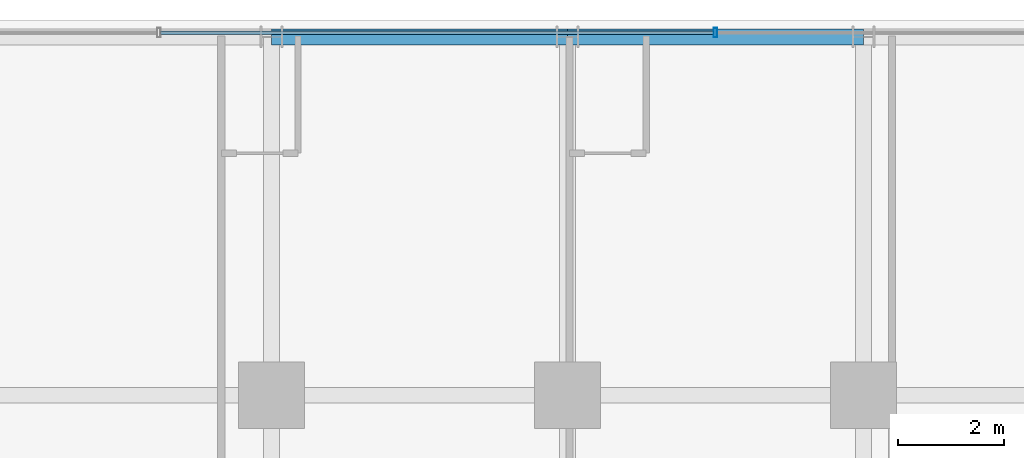
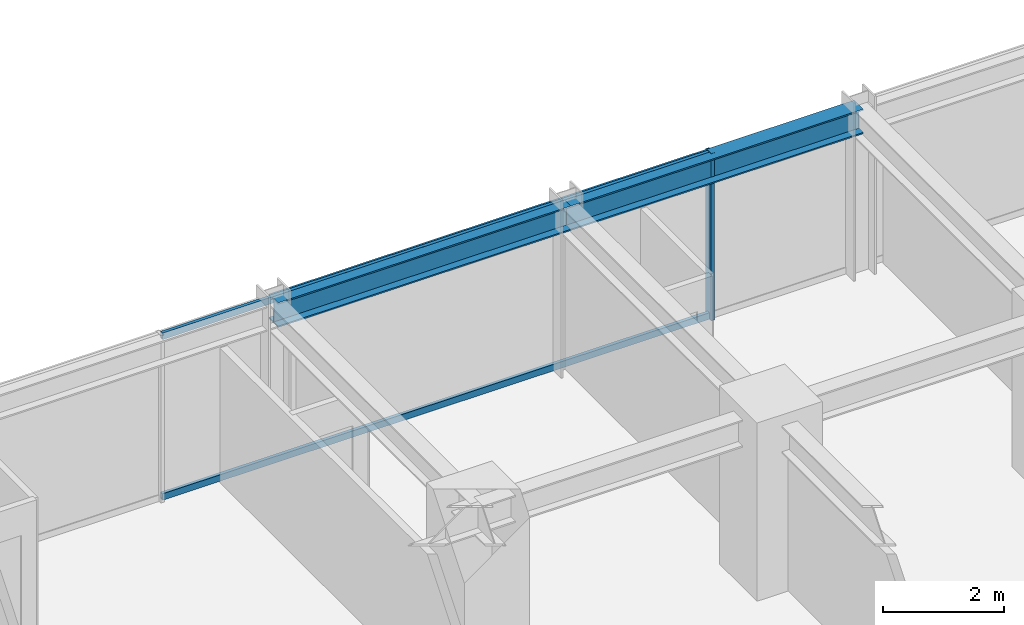
# One storey, part 20 of 32: 3 members, 2 beams, 1 element without a shape of its own.
"""IFC4 building model written with IfcOpenShell, lengths in metres."""

from ifc_helpers import new_model, si_unit, direction, frame, origin, origin_2d, place, context, subcontext, project, spatial, hollow_rectangle, i_section, extrude, source, transform, mapped, material, material_profile, profile_set, type_object, element, aggregate, save


model = new_model("IFC4")

# Units and contexts
model_context = context("Model", 3, precision=1e-05, world=origin(), true_north=direction((0.0, 1.0)))
body_context = subcontext(model_context, "Body", "Model", "MODEL_VIEW")
ifc_project = project(units=[si_unit("LENGTHUNIT", "METRE"), si_unit("AREAUNIT", "SQUARE_METRE"), si_unit("VOLUMEUNIT", "CUBIC_METRE"), si_unit("PLANEANGLEUNIT", "RADIAN"), si_unit("MASSUNIT", "GRAM", prefix="KILO")], contexts=[model_context])

# Site, building, storey
site_placement = place(None, origin())
site = spatial("IfcSite", under=ifc_project, at=site_placement, CompositionType="ELEMENT")
building_placement = place(site_placement, origin())
building = spatial("IfcBuilding", under=site, at=building_placement, Name="Nahalor Promenade Grand Hotel", CompositionType="ELEMENT")
storey_placement = place(building_placement, frame((0.0, 0.0, 124.800048828125)))
storey = spatial("IfcBuildingStorey", under=building, at=storey_placement, Name="L31", CompositionType="ELEMENT", Elevation=124.800048828125)

# Beams
ifc_material_1 = material(Name="Steel S355JR", Category="steel")
ifc_material_profile_1 = material_profile(ifc_material_1, i_section(OverallWidth=0.3, OverallDepth=0.5, WebThickness=0.0145, FlangeThickness=0.028, at=origin_2d()), Name="HEB 500")
ifc_profile_set_1 = profile_set([ifc_material_profile_1], Name="Steel S355JR")
beam_type = type_object("IfcBeamType", Name="Beam-Spandrel-HEB500", PredefinedType="SPANDREL", material=ifc_profile_set_1)
shared_shape_1 = source(origin(), body_context, "Body", "SweptSolid", [
    extrude(i_section(OverallWidth=0.3, OverallDepth=0.5, WebThickness=0.0145, FlangeThickness=0.028, at=origin_2d()), origin(), (0.0, 0.0, 1.0), 5.599853515625),
])
beam_1_placement = place(storey_placement, frame((-8.39990234375, 23.780029296875, 3.1298828125), z_axis=(1.0, 0.0, 0.0), x_axis=(0.0, 1.0, 0.0)))
element("IfcBeam", 1, at=beam_1_placement, inside=storey, type_object=beam_type, Name="BM-L31-SP-N-1", PredefinedType="SPANDREL", context=body_context, shape_type="MappedRepresentation", body=[
    mapped(shared_shape_1, transform((0.0, 0.0, 0.0), scale=1.0)),
])
shared_shape_2 = source(origin(), body_context, "Body", "SweptSolid", [
    extrude(i_section(OverallWidth=0.3, OverallDepth=0.5, WebThickness=0.0145, FlangeThickness=0.028, at=origin_2d()), origin(), (0.0, 0.0, 1.0), 5.60009765625),
])
beam_2_placement = place(storey_placement, frame((-2.800048828125, 23.780029296875, 3.1298828125), z_axis=(1.0, 0.0, 0.0), x_axis=(0.0, 1.0, 0.0)))
element("IfcBeam", 2, at=beam_2_placement, inside=storey, type_object=beam_type, Name="BM-L31-SP-N-2", PredefinedType="SPANDREL", context=body_context, shape_type="MappedRepresentation", body=[
    mapped(shared_shape_2, transform((0.0, 0.0, 0.0), scale=1.0)),
])

# Curtain wall, members
ifc_material_2 = material(Name="Anodised Bronze Aluminium EN AW-6063 T6", Category="aluminium")
curtain_wall_type = type_object("IfcCurtainWallType", Name="CW2 Typical Hotel Flush Bronze Unitised Curtain Wall", PredefinedType="USERDEFINED", material=ifc_material_2)
curtain_wall_placement = place(storey_placement, origin())
curtain_wall = element("IfcCurtainWall", 3, at=curtain_wall_placement, inside=storey, type_object=curtain_wall_type, Name="L31 Curtain Wall CW-L31-N-1", ObjectType="UNITISED_CURTAIN_WALL", PredefinedType="USERDEFINED")
ifc_material_profile_2 = material_profile(ifc_material_2, hollow_rectangle(XDim=0.065, YDim=0.18, WallThickness=0.004, at=origin_2d()), Name="CWM 65x180x4")
ifc_profile_set_2 = profile_set([ifc_material_profile_2], Name="Anodised Bronze Aluminium EN AW-6063 T6")
member_type_1 = type_object("IfcMemberType", Name="CWM2 Typical Bronze Mullion 65x180", PredefinedType="MULLION", material=ifc_profile_set_2)
shared_shape_3 = source(origin(), body_context, "Body", "SweptSolid", [
    extrude(hollow_rectangle(XDim=0.065, YDim=0.18, WallThickness=0.004, at=origin_2d()), origin(), (0.0, 0.0, 1.0), 3.3798828125),
])
member_1_placement = place(storey_placement, frame((0.0, 23.860107421875, 0.0), z_axis=(0.0, 0.0, 1.0), x_axis=(1.0, 0.0, 0.0)))
member_1 = element("IfcMember", 4, at=member_1_placement, type_object=member_type_1, Name="CW-L31-N-1 Mullion 2", PredefinedType="MULLION", context=body_context, shape_type="MappedRepresentation", body=[
    mapped(shared_shape_3, transform((0.0, 0.0, 0.0), scale=1.0)),
])
ifc_material_profile_3 = material_profile(ifc_material_2, hollow_rectangle(XDim=0.065, YDim=0.13, WallThickness=0.004, at=origin_2d()), Name="CWT 65x130x4")
ifc_profile_set_3 = profile_set([ifc_material_profile_3], Name="Anodised Bronze Aluminium EN AW-6063 T6")
member_type_2 = type_object("IfcMemberType", Name="CWT2 Typical Bronze Transom 65x130", PredefinedType="USERDEFINED", material=ifc_profile_set_3)
shared_shape_4 = source(origin(), body_context, "Body", "SweptSolid", [
    extrude(hollow_rectangle(XDim=0.065, YDim=0.13, WallThickness=0.004, at=origin_2d()), origin(), (0.0, 0.0, 1.0), 10.465087890625),
])
member_2_placement = place(storey_placement, frame((-10.49755859375, 23.860107421875, 0.06494140625), z_axis=(1.0, 0.0, 0.0), x_axis=(0.0, 1.0, 0.0)))
member_2 = element("IfcMember", 5, at=member_2_placement, type_object=member_type_2, Name="CW-L31-N-1 Transom 1-0", ObjectType="TRANSOM", PredefinedType="USERDEFINED", context=body_context, shape_type="MappedRepresentation", body=[
    mapped(shared_shape_4, transform((0.0, 0.0, 0.0), scale=1.0)),
])
member_3_placement = place(storey_placement, frame((-10.49755859375, 23.860107421875, 3.31494140625), z_axis=(1.0, 0.0, 0.0), x_axis=(0.0, 1.0, 0.0)))
member_3 = element("IfcMember", 6, at=member_3_placement, type_object=member_type_2, Name="CW-L31-N-1 Transom 1-1", ObjectType="TRANSOM", PredefinedType="USERDEFINED", context=body_context, shape_type="MappedRepresentation", body=[
    mapped(shared_shape_4, transform((0.0, 0.0, 0.0), scale=1.0)),
])
aggregate(curtain_wall, [member_1, member_2, member_3])

save(model, "model.ifc")
